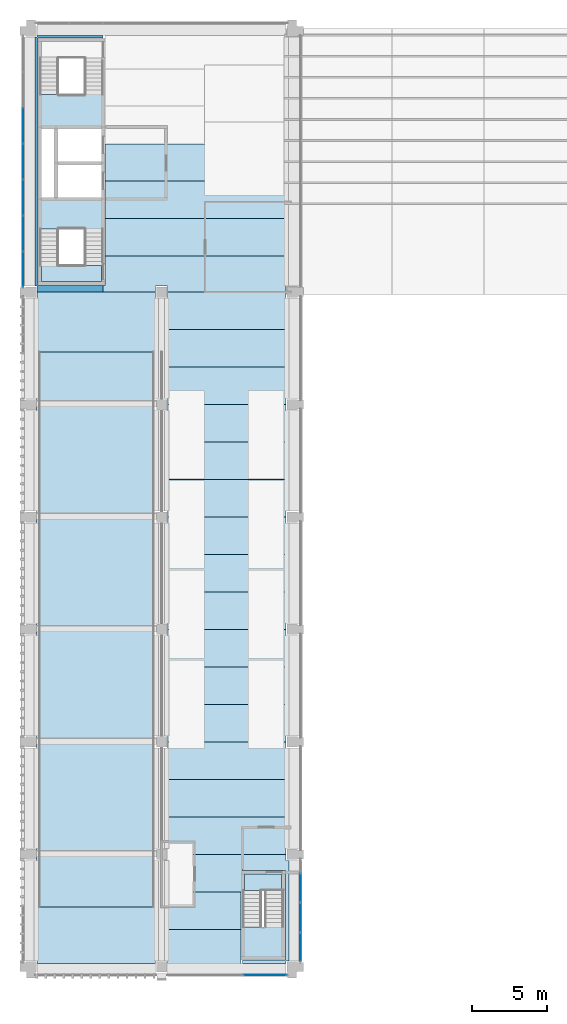
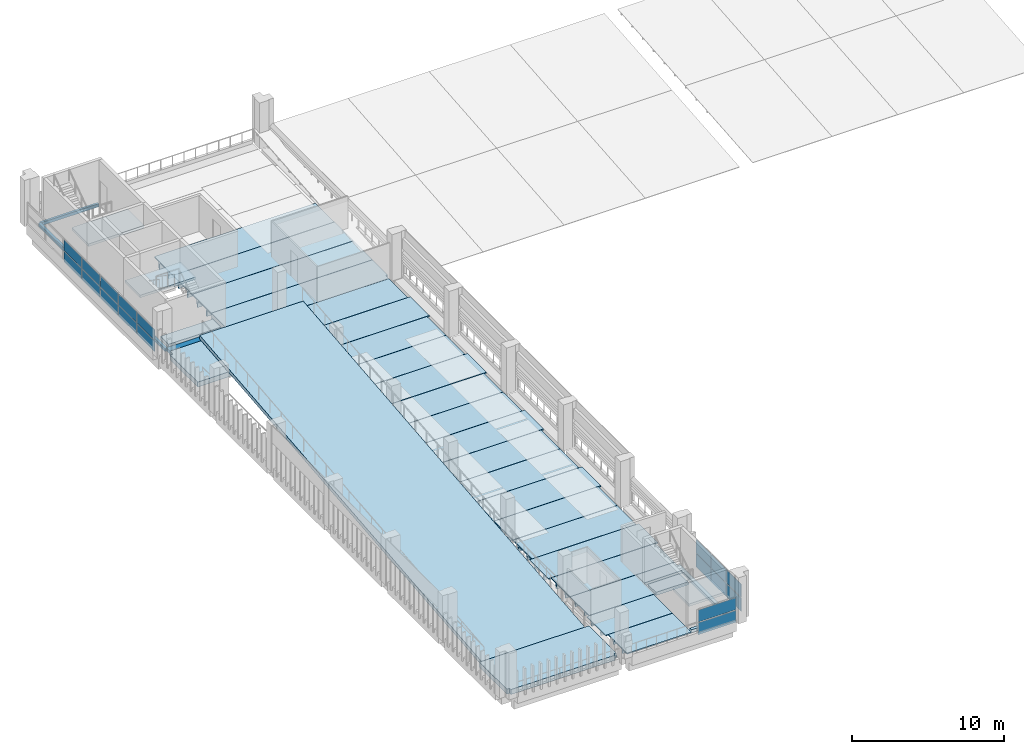
# One storey, part 9 of 24: 32 slabs, 18 plates, 6 elements without a shape of their own.
"""IFC4 building model written with IfcOpenShell, lengths in metres."""

from ifc_helpers import new_model, si_unit, direction, frame, origin, origin_2d, place, context, subcontext, project, spatial, polyline, rectangle, outline, extrude, material, layer, layer_set, material_profile, profile_set, type_object, element, aggregate, save


model = new_model("IFC4")

# Units and contexts
model_context = context("Model", 3, precision=1e-05, world=origin(), true_north=direction((0.0, 1.0)))
body_context = subcontext(model_context, "Body", "Model", "MODEL_VIEW")
ifc_project = project(units=[si_unit("LENGTHUNIT", "METRE"), si_unit("AREAUNIT", "SQUARE_METRE"), si_unit("VOLUMEUNIT", "CUBIC_METRE"), si_unit("PLANEANGLEUNIT", "RADIAN"), si_unit("MASSUNIT", "GRAM", prefix="KILO")], contexts=[model_context])

# Site, building, storey
site_placement = place(None, origin())
site = spatial("IfcSite", under=ifc_project, at=site_placement, CompositionType="ELEMENT")
building_placement = place(site_placement, origin())
building = spatial("IfcBuilding", under=site, at=building_placement, Name="Cour d'Honneur Mobility Palace", CompositionType="ELEMENT")
storey_placement = place(building_placement, frame((0.0, 0.0, 26.699951171875)))
storey = spatial("IfcBuildingStorey", under=building, at=storey_placement, Name="L07", CompositionType="ELEMENT", Elevation=26.699951171875)

# Slabs
ifc_material_1 = material(Name="Concrete C50", Category="concrete")
ifc_layer_1 = layer(ifc_material_1, 0.25)
ifc_layer_set_1 = layer_set([ifc_layer_1], Name="Concrete C50")
slab_type_1 = type_object("IfcSlabType", Name="Cast-in-place Slab 250", PredefinedType="FLOOR", material=ifc_layer_set_1)
slab_1_placement = place(storey_placement, frame((0.0, 0.0, -0.25)))
element("IfcSlab", 1, at=slab_1_placement, inside=storey, type_object=slab_type_1, Name="Cast-in-place slab S1 L07 core", PredefinedType="FLOOR", context=body_context, shape_type="SweptSolid", body=[
    extrude(outline(polyline([(0.39990234375, 45.39990234375), (0.25, 45.39990234375), (0.25, 62.0), (0.39990234375, 62.0), (0.39990234375, 62.125), (4.800048828125, 62.125), (4.800048828125, 61.949951171875), (0.449951171875, 61.949951171875), (0.449951171875, 45.449951171875), (4.800048828125, 45.449951171875), (4.800048828125, 45.0), (0.39990234375, 45.0), (0.39990234375, 45.39990234375)])), origin(), (0.0, 0.0, 1.0), 0.25),
])
slab_2_placement = place(storey_placement, frame((0.0, 0.0, -0.25)))
element("IfcSlab", 2, at=slab_2_placement, inside=storey, type_object=slab_type_1, Name="Cast-in-place slab S1 L07 core", PredefinedType="FLOOR", context=body_context, shape_type="SweptSolid", body=[
    extrude(outline(polyline([(0.699951171875, 45.699951171875), (0.699951171875, 46.77490234375), (4.675048828125, 46.77490234375), (4.675048828125, 45.699951171875), (0.699951171875, 45.699951171875)])), origin(), (0.0, 0.0, 1.0), 0.25),
])
slab_3_placement = place(storey_placement, frame((0.0, 0.0, -0.25)))
element("IfcSlab", 3, at=slab_3_placement, inside=storey, type_object=slab_type_1, Name="Cast-in-place slab S1 L07 stair strip", PredefinedType="FLOOR", context=body_context, shape_type="SweptSolid", body=[
    extrude(outline(polyline([(17.0, 7.10009765625), (17.199951171875, 7.10009765625), (17.199951171875, 0.39990234375), (17.0, 0.39990234375), (17.0, 0.22509765625), (14.10009765625, 0.22509765625), (14.10009765625, 0.449951171875), (16.949951171875, 0.449951171875), (16.949951171875, 6.425048828125), (14.10009765625, 6.425048828125), (14.10009765625, 7.5), (17.0, 7.5), (17.0, 7.10009765625)])), origin(), (0.0, 0.0, 1.0), 0.25),
])
slab_4_placement = place(storey_placement, frame((0.0, 0.0, -0.25)))
element("IfcSlab", 4, at=slab_4_placement, inside=storey, type_object=slab_type_1, Name="Cast-in-place slab S1 L07 stair strip", PredefinedType="FLOOR", context=body_context, shape_type="SweptSolid", body=[
    extrude(outline(polyline([(16.699951171875, 6.175048828125), (16.699951171875, 5.10009765625), (14.22509765625, 5.10009765625), (14.22509765625, 6.175048828125), (16.699951171875, 6.175048828125)])), origin(), (0.0, 0.0, 1.0), 0.25),
])
ifc_material_2 = material(Name="Concrete C50", Category="concrete")
ifc_layer_2 = layer(ifc_material_2, 0.39990234375)
ifc_layer_set_2 = layer_set([ifc_layer_2], Name="Concrete C50")
slab_type_2 = type_object("IfcSlabType", Name="Cast-in-place Slab 400", PredefinedType="LANDING", material=ifc_layer_set_2)
slab_5_placement = place(storey_placement, frame((0.0, 0.0, -0.39990234375)))
element("IfcSlab", 5, at=slab_5_placement, inside=storey, type_object=slab_type_2, Name="Cast-in-place slab S3 L07 landing", PredefinedType="LANDING", context=body_context, shape_type="SweptSolid", body=[
    extrude(outline(polyline([(8.300048828125, 0.39990234375), (8.300048828125, 0.22509765625), (0.39990234375, 0.22509765625), (0.39990234375, 0.39990234375), (0.199951171875, 0.39990234375), (0.199951171875, 4.0), (8.5, 4.0), (8.5, 0.39990234375), (8.300048828125, 0.39990234375)])), origin(), (0.0, 0.0, 1.0), 0.39990234375),
])
slab_6_placement = place(storey_placement, frame((0.0, 0.0, -0.39990234375)))
element("IfcSlab", 6, at=slab_6_placement, inside=storey, type_object=slab_type_2, Name="Cast-in-place slab S3 L07 landing", PredefinedType="LANDING", context=body_context, shape_type="SweptSolid", body=[
    extrude(outline(polyline([(8.5, 44.60009765625), (8.5, 41.0), (0.199951171875, 41.0), (0.199951171875, 44.60009765625), (0.39990234375, 44.60009765625), (0.39990234375, 45.0), (8.300048828125, 45.0), (8.300048828125, 44.60009765625), (8.5, 44.60009765625)])), origin(), (0.0, 0.0, 1.0), 0.39990234375),
])
ifc_material_3 = material(Name="Concrete C50", Category="concrete")
ifc_layer_3 = layer(ifc_material_3, 0.800048828125)
ifc_layer_set_3 = layer_set([ifc_layer_3], Name="Concrete C50")
slab_type_3 = type_object("IfcSlabType", Name="Cast-in-place Slab 800", PredefinedType="FLOOR", material=ifc_layer_set_3)
slab_7_placement = place(storey_placement, frame((0.0, 0.0, -0.800048828125)))
element("IfcSlab", 7, at=slab_7_placement, inside=storey, type_object=slab_type_3, Name="Cast-in-place slab S2 L07 closure", PredefinedType="FLOOR", context=body_context, shape_type="SweptSolid", body=[
    extrude(outline(polyline([(17.0, 45.39990234375), (17.0, 45.0), (9.10009765625, 45.0), (9.10009765625, 45.39990234375), (8.300048828125, 45.39990234375), (8.300048828125, 45.0), (4.800048828125, 45.0), (4.800048828125, 45.449951171875), (4.925048828125, 45.449951171875), (4.925048828125, 47.39990234375), (17.14990234375, 47.39990234375), (17.14990234375, 45.39990234375), (17.0, 45.39990234375)])), origin(), (0.0, 0.0, 1.0), 0.800048828125),
])

# Curtain wall, plates
ifc_material_4 = material(Name="Aluminium and glass", Category="aluminium")
ifc_layer_4 = layer(ifc_material_4, 0.10009765625)
ifc_layer_set_4 = layer_set([ifc_layer_4], Name="Aluminium and glass")
curtain_wall_type = type_object("IfcCurtainWallType", Name="Curtain wall run", PredefinedType="NOTDEFINED", material=ifc_layer_set_4)
curtain_wall_1_placement = place(storey_placement, origin())
curtain_wall_1 = element("IfcCurtainWall", 8, at=curtain_wall_1_placement, inside=storey, type_object=curtain_wall_type, Name="Curtain wall CW-109", PredefinedType="NOTDEFINED")
ifc_material_5 = material(Name="Double glazing", Category="glass")
ifc_layer_5 = layer(ifc_material_5, 0.028076171875)
ifc_layer_set_5 = layer_set([ifc_layer_5], Name="Double glazing")
plate_type = type_object("IfcPlateType", Name="Curtain wall panel", PredefinedType="CURTAIN_PANEL", material=ifc_layer_set_5)
plate_1_placement = place(storey_placement, frame((-0.550048828125, 56.10009765625, 0.06005859375), z_axis=(0.0, 0.0, 1.0), x_axis=(0.0, -1.0, 0.0)))
plate_1 = element("IfcPlate", 9, at=plate_1_placement, type_object=plate_type, Name="CW-109 panel 3.1", PredefinedType="CURTAIN_PANEL", context=body_context, shape_type="SweptSolid", body=[
    extrude(rectangle(XDim=2.340087890625, YDim=0.028076171875, at=origin_2d()), origin(), (0.0, 0.0, 1.0), 0.860107421875),
])
plate_2_placement = place(storey_placement, frame((-0.550048828125, 56.10009765625, 0.97998046875), z_axis=(0.0, 0.0, 1.0), x_axis=(0.0, -1.0, 0.0)))
plate_2 = element("IfcPlate", 10, at=plate_2_placement, type_object=plate_type, Name="CW-109 panel 3.2", PredefinedType="CURTAIN_PANEL", context=body_context, shape_type="SweptSolid", body=[
    extrude(rectangle(XDim=2.340087890625, YDim=0.028076171875, at=origin_2d()), origin(), (0.0, 0.0, 1.0), 0.860107421875),
])
plate_3_placement = place(storey_placement, frame((-0.550048828125, 53.699951171875, 0.06005859375), z_axis=(0.0, 0.0, 1.0), x_axis=(0.0, -1.0, 0.0)))
plate_3 = element("IfcPlate", 11, at=plate_3_placement, type_object=plate_type, Name="CW-109 panel 4.1", PredefinedType="CURTAIN_PANEL", context=body_context, shape_type="SweptSolid", body=[
    extrude(rectangle(XDim=2.340087890625, YDim=0.028076171875, at=origin_2d()), origin(), (0.0, 0.0, 1.0), 0.860107421875),
])
plate_4_placement = place(storey_placement, frame((-0.550048828125, 53.699951171875, 0.97998046875), z_axis=(0.0, 0.0, 1.0), x_axis=(0.0, -1.0, 0.0)))
plate_4 = element("IfcPlate", 12, at=plate_4_placement, type_object=plate_type, Name="CW-109 panel 4.2", PredefinedType="CURTAIN_PANEL", context=body_context, shape_type="SweptSolid", body=[
    extrude(rectangle(XDim=2.340087890625, YDim=0.028076171875, at=origin_2d()), origin(), (0.0, 0.0, 1.0), 0.860107421875),
])
plate_5_placement = place(storey_placement, frame((-0.550048828125, 51.300048828125, 0.06005859375), z_axis=(0.0, 0.0, 1.0), x_axis=(0.0, -1.0, 0.0)))
plate_5 = element("IfcPlate", 13, at=plate_5_placement, type_object=plate_type, Name="CW-109 panel 5.1", PredefinedType="CURTAIN_PANEL", context=body_context, shape_type="SweptSolid", body=[
    extrude(rectangle(XDim=2.340087890625, YDim=0.028076171875, at=origin_2d()), origin(), (0.0, 0.0, 1.0), 0.860107421875),
])
plate_6_placement = place(storey_placement, frame((-0.550048828125, 51.300048828125, 0.97998046875), z_axis=(0.0, 0.0, 1.0), x_axis=(0.0, -1.0, 0.0)))
plate_6 = element("IfcPlate", 14, at=plate_6_placement, type_object=plate_type, Name="CW-109 panel 5.2", PredefinedType="CURTAIN_PANEL", context=body_context, shape_type="SweptSolid", body=[
    extrude(rectangle(XDim=2.340087890625, YDim=0.028076171875, at=origin_2d()), origin(), (0.0, 0.0, 1.0), 0.860107421875),
])
plate_7_placement = place(storey_placement, frame((-0.550048828125, 48.89990234375, 0.06005859375), z_axis=(0.0, 0.0, 1.0), x_axis=(0.0, -1.0, 0.0)))
plate_7 = element("IfcPlate", 15, at=plate_7_placement, type_object=plate_type, Name="CW-109 panel 6.1", PredefinedType="CURTAIN_PANEL", context=body_context, shape_type="SweptSolid", body=[
    extrude(rectangle(XDim=2.340087890625, YDim=0.028076171875, at=origin_2d()), origin(), (0.0, 0.0, 1.0), 0.860107421875),
])
plate_8_placement = place(storey_placement, frame((-0.550048828125, 48.89990234375, 0.97998046875), z_axis=(0.0, 0.0, 1.0), x_axis=(0.0, -1.0, 0.0)))
plate_8 = element("IfcPlate", 16, at=plate_8_placement, type_object=plate_type, Name="CW-109 panel 6.2", PredefinedType="CURTAIN_PANEL", context=body_context, shape_type="SweptSolid", body=[
    extrude(rectangle(XDim=2.340087890625, YDim=0.028076171875, at=origin_2d()), origin(), (0.0, 0.0, 1.0), 0.860107421875),
])
plate_9_placement = place(storey_placement, frame((-0.550048828125, 46.514892578125, 0.06005859375), z_axis=(0.0, 0.0, 1.0), x_axis=(0.0, -1.0, 0.0)))
plate_9 = element("IfcPlate", 17, at=plate_9_placement, type_object=plate_type, Name="CW-109 panel 7.1", PredefinedType="CURTAIN_PANEL", context=body_context, shape_type="SweptSolid", body=[
    extrude(rectangle(XDim=2.31005859375, YDim=0.028076171875, at=origin_2d()), origin(), (0.0, 0.0, 1.0), 0.860107421875),
])
plate_10_placement = place(storey_placement, frame((-0.550048828125, 46.514892578125, 0.97998046875), z_axis=(0.0, 0.0, 1.0), x_axis=(0.0, -1.0, 0.0)))
plate_10 = element("IfcPlate", 18, at=plate_10_placement, type_object=plate_type, Name="CW-109 panel 7.2", PredefinedType="CURTAIN_PANEL", context=body_context, shape_type="SweptSolid", body=[
    extrude(rectangle(XDim=2.31005859375, YDim=0.028076171875, at=origin_2d()), origin(), (0.0, 0.0, 1.0), 0.860107421875),
])
aggregate(curtain_wall_1, [plate_1, plate_2, plate_3, plate_4, plate_5, plate_6, plate_7, plate_8, plate_9, plate_10])

curtain_wall_2_placement = place(storey_placement, origin())
curtain_wall_2 = element("IfcCurtainWall", 19, at=curtain_wall_2_placement, inside=storey, type_object=curtain_wall_type, Name="Curtain wall CW-165", PredefinedType="NOTDEFINED")
plate_11_placement = place(storey_placement, frame((15.60009765625, -0.550048828125, 0.06005859375), z_axis=(0.0, 0.0, 1.0), x_axis=(1.0, 0.0, 0.0)))
plate_11 = element("IfcPlate", 20, at=plate_11_placement, type_object=plate_type, Name="CW-165 panel 1.1", PredefinedType="CURTAIN_PANEL", context=body_context, shape_type="SweptSolid", body=[
    extrude(rectangle(XDim=2.8798828125, YDim=0.028076171875, at=origin_2d()), origin(), (0.0, 0.0, 1.0), 0.9599609375),
])
plate_12_placement = place(storey_placement, frame((15.60009765625, -0.550048828125, 1.080078125), z_axis=(0.0, 0.0, 1.0), x_axis=(1.0, 0.0, 0.0)))
plate_12 = element("IfcPlate", 21, at=plate_12_placement, type_object=plate_type, Name="CW-165 panel 1.2", PredefinedType="CURTAIN_PANEL", context=body_context, shape_type="SweptSolid", body=[
    extrude(rectangle(XDim=2.8798828125, YDim=0.028076171875, at=origin_2d()), origin(), (0.0, 0.0, 1.0), 0.9599609375),
])
aggregate(curtain_wall_2, [plate_11, plate_12])

curtain_wall_3_placement = place(storey_placement, origin())
curtain_wall_3 = element("IfcCurtainWall", 22, at=curtain_wall_3_placement, inside=storey, type_object=curtain_wall_type, Name="Curtain wall CW-166", PredefinedType="NOTDEFINED")
plate_13_placement = place(storey_placement, frame((17.949951171875, 1.31494140625, 0.06005859375), z_axis=(0.0, 0.0, 1.0), x_axis=(0.0, 1.0, 0.0)))
plate_13 = element("IfcPlate", 23, at=plate_13_placement, type_object=plate_type, Name="CW-166 panel 1.1", PredefinedType="CURTAIN_PANEL", context=body_context, shape_type="SweptSolid", body=[
    extrude(rectangle(XDim=1.909912109375, YDim=0.028076171875, at=origin_2d()), origin(), (0.0, 0.0, 1.0), 1.06005859375),
])
plate_14_placement = place(storey_placement, frame((17.949951171875, 1.31494140625, 1.179931640625), z_axis=(0.0, 0.0, 1.0), x_axis=(0.0, 1.0, 0.0)))
plate_14 = element("IfcPlate", 24, at=plate_14_placement, type_object=plate_type, Name="CW-166 panel 1.2", PredefinedType="CURTAIN_PANEL", context=body_context, shape_type="SweptSolid", body=[
    extrude(rectangle(XDim=1.909912109375, YDim=0.028076171875, at=origin_2d()), origin(), (0.0, 0.0, 1.0), 1.06005859375),
])
plate_15_placement = place(storey_placement, frame((17.949951171875, 3.300048828125, 0.06005859375), z_axis=(0.0, 0.0, 1.0), x_axis=(0.0, 1.0, 0.0)))
plate_15 = element("IfcPlate", 25, at=plate_15_placement, type_object=plate_type, Name="CW-166 panel 2.1", PredefinedType="CURTAIN_PANEL", context=body_context, shape_type="SweptSolid", body=[
    extrude(rectangle(XDim=1.93994140625, YDim=0.028076171875, at=origin_2d()), origin(), (0.0, 0.0, 1.0), 1.06005859375),
])
plate_16_placement = place(storey_placement, frame((17.949951171875, 3.300048828125, 1.179931640625), z_axis=(0.0, 0.0, 1.0), x_axis=(0.0, 1.0, 0.0)))
plate_16 = element("IfcPlate", 26, at=plate_16_placement, type_object=plate_type, Name="CW-166 panel 2.2", PredefinedType="CURTAIN_PANEL", context=body_context, shape_type="SweptSolid", body=[
    extrude(rectangle(XDim=1.93994140625, YDim=0.028076171875, at=origin_2d()), origin(), (0.0, 0.0, 1.0), 1.06005859375),
])
plate_17_placement = place(storey_placement, frame((17.949951171875, 5.284912109375, 0.06005859375), z_axis=(0.0, 0.0, 1.0), x_axis=(0.0, 1.0, 0.0)))
plate_17 = element("IfcPlate", 27, at=plate_17_placement, type_object=plate_type, Name="CW-166 panel 3.1", PredefinedType="CURTAIN_PANEL", context=body_context, shape_type="SweptSolid", body=[
    extrude(rectangle(XDim=1.909912109375, YDim=0.028076171875, at=origin_2d()), origin(), (0.0, 0.0, 1.0), 1.06005859375),
])
plate_18_placement = place(storey_placement, frame((17.949951171875, 5.284912109375, 1.179931640625), z_axis=(0.0, 0.0, 1.0), x_axis=(0.0, 1.0, 0.0)))
plate_18 = element("IfcPlate", 28, at=plate_18_placement, type_object=plate_type, Name="CW-166 panel 3.2", PredefinedType="CURTAIN_PANEL", context=body_context, shape_type="SweptSolid", body=[
    extrude(rectangle(XDim=1.909912109375, YDim=0.028076171875, at=origin_2d()), origin(), (0.0, 0.0, 1.0), 1.06005859375),
])
aggregate(curtain_wall_3, [plate_13, plate_14, plate_15, plate_16, plate_17, plate_18])

# Slabs
ifc_material_6 = material(Name="Concrete C45", Category="concrete")
ifc_material_profile_1 = material_profile(ifc_material_6, outline(polyline([(-1.2451171875, 0.0), (1.2451171875, 0.0), (1.2451171875, -0.074951171875), (0.659912109375, -0.074951171875), (0.639892578125, -0.39990234375), (0.56005859375, -0.39990234375), (0.5400390625, -0.074951171875), (-0.5400390625, -0.074951171875), (-0.56005859375, -0.39990234375), (-0.639892578125, -0.39990234375), (-0.659912109375, -0.074951171875), (-1.2451171875, -0.074951171875), (-1.2451171875, 0.0)])), Name="DT 2490x400")
ifc_profile_set_1 = profile_set([ifc_material_profile_1], Name="Concrete C45")
slab_type_4 = type_object("IfcSlabType", Name="DT 2490x400", PredefinedType="FLOOR", material=ifc_profile_set_1)
slab_8_placement = place(storey_placement, frame((9.10009765625, 1.25, 0.0), z_axis=(1.0, 0.0, 0.0), x_axis=(0.0, 1.0, 0.0)))
element("IfcSlab", 29, at=slab_8_placement, inside=storey, type_object=slab_type_4, Name="Double tee DT-SW1 L07", PredefinedType="FLOOR", context=body_context, shape_type="SweptSolid", body=[
    extrude(outline(polyline([(-1.2451171875, 0.0), (1.2451171875, 0.0), (1.2451171875, -0.074951171875), (0.659912109375, -0.074951171875), (0.639892578125, -0.39990234375), (0.56005859375, -0.39990234375), (0.5400390625, -0.074951171875), (-0.5400390625, -0.074951171875), (-0.56005859375, -0.39990234375), (-0.639892578125, -0.39990234375), (-0.659912109375, -0.074951171875), (-1.2451171875, -0.074951171875), (-1.2451171875, 0.0)])), origin(), (0.0, 0.0, 1.0), 4.875),
])
slab_9_placement = place(storey_placement, frame((8.89990234375, 3.75, 0.0), z_axis=(1.0, 0.0, 0.0), x_axis=(0.0, 1.0, 0.0)))
element("IfcSlab", 30, at=slab_9_placement, inside=storey, type_object=slab_type_4, Name="Double tee DT-SW2 L07", PredefinedType="FLOOR", context=body_context, shape_type="SweptSolid", body=[
    extrude(outline(polyline([(-1.2451171875, 0.0), (1.2451171875, 0.0), (1.2451171875, -0.074951171875), (0.659912109375, -0.074951171875), (0.639892578125, -0.39990234375), (0.56005859375, -0.39990234375), (0.5400390625, -0.074951171875), (-0.5400390625, -0.074951171875), (-0.56005859375, -0.39990234375), (-0.639892578125, -0.39990234375), (-0.659912109375, -0.074951171875), (-1.2451171875, -0.074951171875), (-1.2451171875, 0.0)])), origin(), (0.0, 0.0, 1.0), 5.0751953125),
])
slab_10_placement = place(storey_placement, frame((9.10009765625, 6.25, 0.0), z_axis=(1.0, 0.0, 0.0), x_axis=(0.0, 1.0, 0.0)))
element("IfcSlab", 31, at=slab_10_placement, inside=storey, type_object=slab_type_4, Name="Double tee DT-SW3 L07", PredefinedType="FLOOR", context=body_context, shape_type="SweptSolid", body=[
    extrude(outline(polyline([(-1.2451171875, 0.0), (1.2451171875, 0.0), (1.2451171875, -0.074951171875), (0.659912109375, -0.074951171875), (0.639892578125, -0.39990234375), (0.56005859375, -0.39990234375), (0.5400390625, -0.074951171875), (-0.5400390625, -0.074951171875), (-0.56005859375, -0.39990234375), (-0.639892578125, -0.39990234375), (-0.659912109375, -0.074951171875), (-1.2451171875, -0.074951171875), (-1.2451171875, 0.0)])), origin(), (0.0, 0.0, 1.0), 5.0),
])
ifc_material_7 = material(Name="Concrete C45", Category="concrete")
ifc_material_profile_2 = material_profile(ifc_material_7, outline(polyline([(-1.2451171875, 0.0), (1.2451171875, 0.0), (1.2451171875, -0.10009765625), (0.669921875, -0.10009765625), (0.64501953125, -0.5), (0.554931640625, -0.5), (0.530029296875, -0.10009765625), (-0.530029296875, -0.10009765625), (-0.554931640625, -0.5), (-0.64501953125, -0.5), (-0.669921875, -0.10009765625), (-1.2451171875, -0.10009765625), (-1.2451171875, 0.0)])), Name="DT 2490x500")
ifc_profile_set_2 = profile_set([ifc_material_profile_2], Name="Concrete C45")
slab_type_5 = type_object("IfcSlabType", Name="DT 2490x500", PredefinedType="FLOOR", material=ifc_profile_set_2)
slab_11_placement = place(storey_placement, frame((9.10009765625, 8.75, 0.0), z_axis=(1.0, 0.0, 0.0), x_axis=(0.0, 1.0, 0.0)))
element("IfcSlab", 32, at=slab_11_placement, inside=storey, type_object=slab_type_5, Name="Double tee DT-SW4 L07", PredefinedType="FLOOR", context=body_context, shape_type="SweptSolid", body=[
    extrude(outline(polyline([(-1.2451171875, 0.0), (1.2451171875, 0.0), (1.2451171875, -0.10009765625), (0.669921875, -0.10009765625), (0.64501953125, -0.5), (0.554931640625, -0.5), (0.530029296875, -0.10009765625), (-0.530029296875, -0.10009765625), (-0.554931640625, -0.5), (-0.64501953125, -0.5), (-0.669921875, -0.10009765625), (-1.2451171875, -0.10009765625), (-1.2451171875, 0.0)])), origin(), (0.0, 0.0, 1.0), 7.89990234375),
])
slab_12_placement = place(storey_placement, frame((8.89990234375, 11.25, 0.0), z_axis=(1.0, 0.0, 0.0), x_axis=(0.0, 1.0, 0.0)))
element("IfcSlab", 33, at=slab_12_placement, inside=storey, type_object=slab_type_5, Name="Double tee DT-SW5 L07", PredefinedType="FLOOR", context=body_context, shape_type="SweptSolid", body=[
    extrude(outline(polyline([(-1.2451171875, 0.0), (1.2451171875, 0.0), (1.2451171875, -0.10009765625), (0.669921875, -0.10009765625), (0.64501953125, -0.5), (0.554931640625, -0.5), (0.530029296875, -0.10009765625), (-0.530029296875, -0.10009765625), (-0.554931640625, -0.5), (-0.64501953125, -0.5), (-0.669921875, -0.10009765625), (-1.2451171875, -0.10009765625), (-1.2451171875, 0.0)])), origin(), (0.0, 0.0, 1.0), 8.300048828125),
])
for number, where, z_axis, x_axis, name in (
    (34, (9.10009765625, 13.75, 0.0), (1.0, 0.0, 0.0), (0.0, 1.0, 0.0), "Double tee DT-SW6 L07"),
    (35, (9.10009765625, 16.25, 0.0), (1.0, 0.0, 0.0), (0.0, 1.0, 0.0), "Double tee DT-SW7 L07"),
):
    element("IfcSlab", number, at=place(storey_placement, frame(where, z_axis=z_axis, x_axis=x_axis)), inside=storey, type_object=slab_type_5, Name=name, PredefinedType="FLOOR", context=body_context, shape_type="SweptSolid", body=[
        extrude(outline(polyline([(-1.2451171875, 0.0), (1.2451171875, 0.0), (1.2451171875, -0.10009765625), (0.669921875, -0.10009765625), (0.64501953125, -0.5), (0.554931640625, -0.5), (0.530029296875, -0.10009765625), (-0.530029296875, -0.10009765625), (-0.554931640625, -0.5), (-0.64501953125, -0.5), (-0.669921875, -0.10009765625), (-1.2451171875, -0.10009765625), (-1.2451171875, 0.0)])), origin(), (0.0, 0.0, 1.0), 7.89990234375),
    ])
slab_13_placement = place(storey_placement, frame((8.89990234375, 18.75, 0.0), z_axis=(1.0, 0.0, 0.0), x_axis=(0.0, 1.0, 0.0)))
element("IfcSlab", 36, at=slab_13_placement, inside=storey, type_object=slab_type_5, Name="Double tee DT-SW8 L07", PredefinedType="FLOOR", context=body_context, shape_type="SweptSolid", body=[
    extrude(outline(polyline([(-1.2451171875, 0.0), (1.2451171875, 0.0), (1.2451171875, -0.10009765625), (0.669921875, -0.10009765625), (0.64501953125, -0.5), (0.554931640625, -0.5), (0.530029296875, -0.10009765625), (-0.530029296875, -0.10009765625), (-0.554931640625, -0.5), (-0.64501953125, -0.5), (-0.669921875, -0.10009765625), (-1.2451171875, -0.10009765625), (-1.2451171875, 0.0)])), origin(), (0.0, 0.0, 1.0), 8.300048828125),
])
for number, where, z_axis, x_axis, name in (
    (37, (9.10009765625, 21.25, 0.0), (1.0, 0.0, 0.0), (0.0, 1.0, 0.0), "Double tee DT-SW9 L07"),
    (38, (9.10009765625, 23.75, 0.0), (1.0, 0.0, 0.0), (0.0, 1.0, 0.0), "Double tee DT-SW10 L07"),
):
    element("IfcSlab", number, at=place(storey_placement, frame(where, z_axis=z_axis, x_axis=x_axis)), inside=storey, type_object=slab_type_5, Name=name, PredefinedType="FLOOR", context=body_context, shape_type="SweptSolid", body=[
        extrude(outline(polyline([(-1.2451171875, 0.0), (1.2451171875, 0.0), (1.2451171875, -0.10009765625), (0.669921875, -0.10009765625), (0.64501953125, -0.5), (0.554931640625, -0.5), (0.530029296875, -0.10009765625), (-0.530029296875, -0.10009765625), (-0.554931640625, -0.5), (-0.64501953125, -0.5), (-0.669921875, -0.10009765625), (-1.2451171875, -0.10009765625), (-1.2451171875, 0.0)])), origin(), (0.0, 0.0, 1.0), 7.89990234375),
    ])
slab_14_placement = place(storey_placement, frame((8.89990234375, 26.25, 0.0), z_axis=(1.0, 0.0, 0.0), x_axis=(0.0, 1.0, 0.0)))
element("IfcSlab", 39, at=slab_14_placement, inside=storey, type_object=slab_type_5, Name="Double tee DT-SW11 L07", PredefinedType="FLOOR", context=body_context, shape_type="SweptSolid", body=[
    extrude(outline(polyline([(-1.2451171875, 0.0), (1.2451171875, 0.0), (1.2451171875, -0.10009765625), (0.669921875, -0.10009765625), (0.64501953125, -0.5), (0.554931640625, -0.5), (0.530029296875, -0.10009765625), (-0.530029296875, -0.10009765625), (-0.554931640625, -0.5), (-0.64501953125, -0.5), (-0.669921875, -0.10009765625), (-1.2451171875, -0.10009765625), (-1.2451171875, 0.0)])), origin(), (0.0, 0.0, 1.0), 8.300048828125),
])
for number, where, z_axis, x_axis, name in (
    (40, (9.10009765625, 28.75, 0.0), (1.0, 0.0, 0.0), (0.0, 1.0, 0.0), "Double tee DT-SW12 L07"),
    (41, (9.10009765625, 31.25, 0.0), (1.0, 0.0, 0.0), (0.0, 1.0, 0.0), "Double tee DT-SW13 L07"),
):
    element("IfcSlab", number, at=place(storey_placement, frame(where, z_axis=z_axis, x_axis=x_axis)), inside=storey, type_object=slab_type_5, Name=name, PredefinedType="FLOOR", context=body_context, shape_type="SweptSolid", body=[
        extrude(outline(polyline([(-1.2451171875, 0.0), (1.2451171875, 0.0), (1.2451171875, -0.10009765625), (0.669921875, -0.10009765625), (0.64501953125, -0.5), (0.554931640625, -0.5), (0.530029296875, -0.10009765625), (-0.530029296875, -0.10009765625), (-0.554931640625, -0.5), (-0.64501953125, -0.5), (-0.669921875, -0.10009765625), (-1.2451171875, -0.10009765625), (-1.2451171875, 0.0)])), origin(), (0.0, 0.0, 1.0), 7.89990234375),
    ])
slab_15_placement = place(storey_placement, frame((8.89990234375, 33.75, 0.0), z_axis=(1.0, 0.0, 0.0), x_axis=(0.0, 1.0, 0.0)))
element("IfcSlab", 42, at=slab_15_placement, inside=storey, type_object=slab_type_5, Name="Double tee DT-SW14 L07", PredefinedType="FLOOR", context=body_context, shape_type="SweptSolid", body=[
    extrude(outline(polyline([(-1.2451171875, 0.0), (1.2451171875, 0.0), (1.2451171875, -0.10009765625), (0.669921875, -0.10009765625), (0.64501953125, -0.5), (0.554931640625, -0.5), (0.530029296875, -0.10009765625), (-0.530029296875, -0.10009765625), (-0.554931640625, -0.5), (-0.64501953125, -0.5), (-0.669921875, -0.10009765625), (-1.2451171875, -0.10009765625), (-1.2451171875, 0.0)])), origin(), (0.0, 0.0, 1.0), 8.300048828125),
])
for number, where, z_axis, x_axis, name in (
    (43, (9.10009765625, 36.25, 0.0), (1.0, 0.0, 0.0), (0.0, 1.0, 0.0), "Double tee DT-SW15 L07"),
    (44, (9.10009765625, 38.75, 0.0), (1.0, 0.0, 0.0), (0.0, 1.0, 0.0), "Double tee DT-SW16 L07"),
):
    element("IfcSlab", number, at=place(storey_placement, frame(where, z_axis=z_axis, x_axis=x_axis)), inside=storey, type_object=slab_type_5, Name=name, PredefinedType="FLOOR", context=body_context, shape_type="SweptSolid", body=[
        extrude(outline(polyline([(-1.2451171875, 0.0), (1.2451171875, 0.0), (1.2451171875, -0.10009765625), (0.669921875, -0.10009765625), (0.64501953125, -0.5), (0.554931640625, -0.5), (0.530029296875, -0.10009765625), (-0.530029296875, -0.10009765625), (-0.554931640625, -0.5), (-0.64501953125, -0.5), (-0.669921875, -0.10009765625), (-1.2451171875, -0.10009765625), (-1.2451171875, 0.0)])), origin(), (0.0, 0.0, 1.0), 7.89990234375),
    ])
slab_16_placement = place(storey_placement, frame((8.89990234375, 41.25, 0.0), z_axis=(1.0, 0.0, 0.0), x_axis=(0.0, 1.0, 0.0)))
element("IfcSlab", 45, at=slab_16_placement, inside=storey, type_object=slab_type_5, Name="Double tee DT-SW17 L07", PredefinedType="FLOOR", context=body_context, shape_type="SweptSolid", body=[
    extrude(outline(polyline([(-1.2451171875, 0.0), (1.2451171875, 0.0), (1.2451171875, -0.10009765625), (0.669921875, -0.10009765625), (0.64501953125, -0.5), (0.554931640625, -0.5), (0.530029296875, -0.10009765625), (-0.530029296875, -0.10009765625), (-0.554931640625, -0.5), (-0.64501953125, -0.5), (-0.669921875, -0.10009765625), (-1.2451171875, -0.10009765625), (-1.2451171875, 0.0)])), origin(), (0.0, 0.0, 1.0), 8.300048828125),
])
slab_17_placement = place(storey_placement, frame((9.10009765625, 43.75, 0.0), z_axis=(1.0, 0.0, 0.0), x_axis=(0.0, 1.0, 0.0)))
element("IfcSlab", 46, at=slab_17_placement, inside=storey, type_object=slab_type_5, Name="Double tee DT-SW18 L07", PredefinedType="FLOOR", context=body_context, shape_type="SweptSolid", body=[
    extrude(outline(polyline([(-1.2451171875, 0.0), (1.2451171875, 0.0), (1.2451171875, -0.10009765625), (0.669921875, -0.10009765625), (0.64501953125, -0.5), (0.554931640625, -0.5), (0.530029296875, -0.10009765625), (-0.530029296875, -0.10009765625), (-0.554931640625, -0.5), (-0.64501953125, -0.5), (-0.669921875, -0.10009765625), (-1.2451171875, -0.10009765625), (-1.2451171875, 0.0)])), origin(), (0.0, 0.0, 1.0), 7.89990234375),
])
ifc_material_8 = material(Name="Concrete C45", Category="concrete")
ifc_material_profile_3 = material_profile(ifc_material_8, outline(polyline([(-1.2451171875, 0.0), (1.2451171875, 0.0), (1.2451171875, -0.10009765625), (0.679931640625, -0.10009765625), (0.64990234375, -0.64990234375), (0.550048828125, -0.64990234375), (0.52001953125, -0.10009765625), (-0.52001953125, -0.10009765625), (-0.550048828125, -0.64990234375), (-0.64990234375, -0.64990234375), (-0.679931640625, -0.10009765625), (-1.2451171875, -0.10009765625), (-1.2451171875, 0.0)])), Name="DT 2490x650")
ifc_profile_set_3 = profile_set([ifc_material_profile_3], Name="Concrete C45")
slab_type_6 = type_object("IfcSlabType", Name="DT 2490x650", PredefinedType="FLOOR", material=ifc_profile_set_3)
for number, where, z_axis, x_axis, name in (
    (47, (4.925048828125, 48.64990234375, 0.0), (1.0, 0.0, 0.0), (0.0, 1.0, 0.0), "Double tee DT-JW1 L07"),
    (48, (4.925048828125, 51.14990234375, 0.0), (1.0, 0.0, 0.0), (0.0, 1.0, 0.0), "Double tee DT-JW2 L07"),
    (49, (4.925048828125, 53.64990234375, 0.0), (1.0, 0.0, 0.0), (0.0, 1.0, 0.0), "Double tee DT-JW3 L07"),
):
    element("IfcSlab", number, at=place(storey_placement, frame(where, z_axis=z_axis, x_axis=x_axis)), inside=storey, type_object=slab_type_6, Name=name, PredefinedType="FLOOR", context=body_context, shape_type="SweptSolid", body=[
        extrude(outline(polyline([(-1.2451171875, 0.0), (1.2451171875, 0.0), (1.2451171875, -0.10009765625), (0.679931640625, -0.10009765625), (0.64990234375, -0.64990234375), (0.550048828125, -0.64990234375), (0.52001953125, -0.10009765625), (-0.52001953125, -0.10009765625), (-0.550048828125, -0.64990234375), (-0.64990234375, -0.64990234375), (-0.679931640625, -0.10009765625), (-1.2451171875, -0.10009765625), (-1.2451171875, 0.0)])), origin(), (0.0, 0.0, 1.0), 12.224853515625),
    ])

# Stair, slab
ifc_material_9 = material(Name="Concrete C50", Category="concrete")
stair_type = type_object("IfcStairType", Name="Stair 20 risers", PredefinedType="HALF_TURN_STAIR", material=ifc_material_9)
stair_1_placement = place(storey_placement, origin())
stair_1 = element("IfcStair", 50, at=stair_1_placement, inside=storey, type_object=stair_type, Name="Stair ST-CW1", PredefinedType="HALF_TURN_STAIR")
ifc_material_10 = material(Name="Concrete C50", Category="concrete")
ifc_layer_6 = layer(ifc_material_10, 0.199951171875)
ifc_layer_set_6 = layer_set([ifc_layer_6], Name="Concrete C50")
slab_type_7 = type_object("IfcSlabType", Name="Stair landing", PredefinedType="LANDING", material=ifc_layer_set_6)
slab_18_placement = place(storey_placement, frame((0.0, 0.0, 1.650146484375)))
slab_18 = element("IfcSlab", 51, at=slab_18_placement, type_object=slab_type_7, Name="ST-CW1 landing 1", PredefinedType="LANDING", context=body_context, shape_type="SweptSolid", body=[
    extrude(outline(polyline([(0.574951171875, 49.205078125), (4.800048828125, 49.205078125), (4.800048828125, 51.199951171875), (0.574951171875, 51.199951171875), (0.574951171875, 49.205078125)])), origin(), (0.0, 0.0, 1.0), 0.199951171875),
])
aggregate(stair_1, [slab_18])

stair_2_placement = place(storey_placement, origin())
stair_2 = element("IfcStair", 52, at=stair_2_placement, inside=storey, type_object=stair_type, Name="Stair ST-CW2", PredefinedType="HALF_TURN_STAIR")
slab_19_placement = place(storey_placement, frame((0.0, 0.0, 1.650146484375)))
slab_19 = element("IfcSlab", 53, at=slab_19_placement, type_object=slab_type_7, Name="ST-CW2 landing 1", PredefinedType="LANDING", context=body_context, shape_type="SweptSolid", body=[
    extrude(outline(polyline([(0.574951171875, 56.0), (4.800048828125, 56.0), (4.800048828125, 58.195068359375), (0.574951171875, 58.195068359375), (0.574951171875, 56.0)])), origin(), (0.0, 0.0, 1.0), 0.199951171875),
])
aggregate(stair_2, [slab_19])

stair_3_placement = place(storey_placement, origin())
stair_3 = element("IfcStair", 54, at=stair_3_placement, inside=storey, type_object=stair_type, Name="Stair ST-RW1", PredefinedType="HALF_TURN_STAIR")
slab_20_placement = place(storey_placement, frame((0.0, 0.0, 1.650146484375)))
slab_20 = element("IfcSlab", 55, at=slab_20_placement, type_object=slab_type_7, Name="ST-RW1 landing 1", PredefinedType="LANDING", context=body_context, shape_type="SweptSolid", body=[
    extrude(outline(polyline([(14.10009765625, 0.574951171875), (16.824951171875, 0.574951171875), (16.824951171875, 2.669921875), (14.10009765625, 2.669921875), (14.10009765625, 0.574951171875)])), origin(), (0.0, 0.0, 1.0), 0.199951171875),
])
aggregate(stair_3, [slab_20])

# Slab
ifc_material_11 = material(Name="Concrete C45", Category="concrete")
ifc_layer_7 = layer(ifc_material_11, 0.300048828125)
ifc_layer_set_7 = layer_set([ifc_layer_7], Name="Concrete C45")
slab_type_8 = type_object("IfcSlabType", Name="Vehicle ramp slab 300", PredefinedType="USERDEFINED", material=ifc_layer_set_7)
slab_21_placement = place(storey_placement, frame((0.35009765625, 4.0, 0.0), z_axis=(0.0, -0.099502418892, 0.995037320222), x_axis=(1.0, 0.0, 0.0)))
element("IfcSlab", 56, at=slab_21_placement, inside=storey, type_object=slab_type_8, Name="Vehicle ramp West 8 slab", ObjectType="VEHICLE RAMP SLAB", PredefinedType="USERDEFINED", context=body_context, shape_type="SweptSolid", body=[
    extrude(outline(polyline([(0.0, 0.0), (7.849853515625, 0.0), (7.849853515625, 37.184534939599004), (0.0, 37.184534939599004), (0.0, 0.0)])), origin(), (0.0, 0.0, -1.0), 0.300048828125),
])

save(model, "model.ifc")
